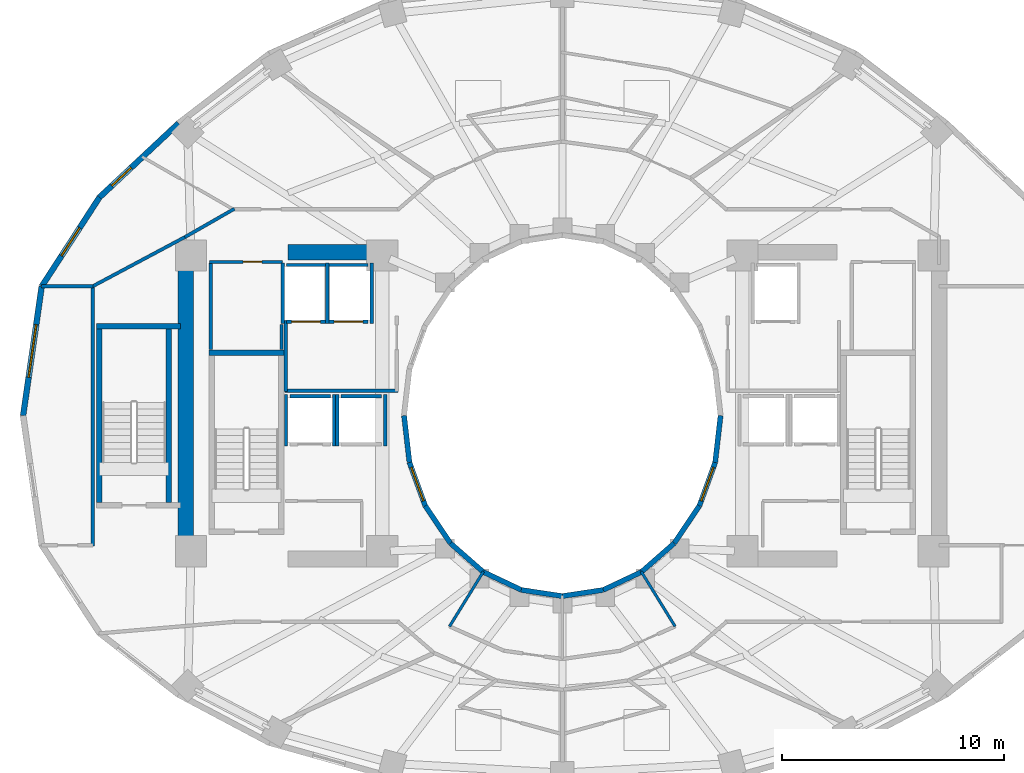
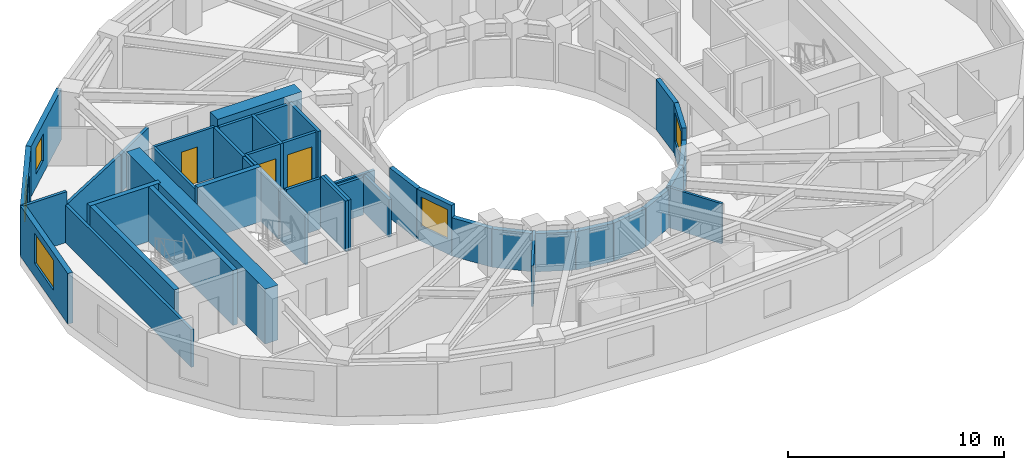
# One storey, part 4 of 9: 45 walls, 5 windows, 3 doors, 8 openings.
"""IFC4 building model written with IfcOpenShell, lengths in metres."""

from ifc_helpers import new_model, si_unit, direction, frame, frame_2d, origin, place, context, subcontext, project, spatial, rectangle, extrude, material, layer, layer_set, type_object, element, fill, save


model = new_model("IFC4")

# Units and contexts
model_context = context("Model", 3, precision=1e-05, world=origin(), true_north=direction((0.0, 1.0)))
body_context = subcontext(model_context, "Body", "Model", "MODEL_VIEW")
ifc_project = project(units=[si_unit("LENGTHUNIT", "METRE"), si_unit("AREAUNIT", "SQUARE_METRE"), si_unit("VOLUMEUNIT", "CUBIC_METRE"), si_unit("PLANEANGLEUNIT", "RADIAN"), si_unit("MASSUNIT", "GRAM", prefix="KILO")], contexts=[model_context])

# Site, building, storey
site_placement = place(None, origin())
site = spatial("IfcSite", under=ifc_project, at=site_placement, CompositionType="ELEMENT")
building_placement = place(site_placement, origin())
building = spatial("IfcBuilding", under=site, at=building_placement, Name="Solvane Sanctuary Tower", CompositionType="ELEMENT")
storey_placement = place(building_placement, frame((0.0, 0.0, 113.5)))
storey = spatial("IfcBuildingStorey", under=building, at=storey_placement, Name="L34", CompositionType="ELEMENT", Elevation=113.5)

# Walls
ifc_material_1 = material(Name="Concrete C60/75", Category="concrete")
ifc_layer_1 = layer(ifc_material_1, 0.699951171875, Name="Concrete C60/75")
ifc_layer_set_1 = layer_set([ifc_layer_1], Name="Concrete C60/75")
wall_type_1 = type_object("IfcWallType", Name="Wall W-CORE-700", PredefinedType="SHEAR", material=ifc_layer_set_1)
wall_1_placement = place(storey_placement, frame((15.050048828125, 17.050048828125, 0.0), z_axis=(0.0, 0.0, 1.0), x_axis=(0.0, 1.0, 0.0)))
element("IfcWall", 1, at=wall_1_placement, inside=storey, type_object=wall_type_1, Name="L34 Core Shear Wall WC-W", PredefinedType="SHEAR", context=body_context, shape_type="SweptSolid", body=[
    extrude(rectangle(XDim=12.800048828125, YDim=0.699951171875, at=frame_2d((6.39990234375, 0.0))), origin(), (0.0, 0.0, 1.0), 3.10009765625),
])
wall_2_placement = place(storey_placement, frame((19.64990234375, 30.35009765625, 0.0), z_axis=(0.0, 0.0, 1.0), x_axis=(1.0, 0.0, 0.0)))
element("IfcWall", 2, at=wall_2_placement, inside=storey, type_object=wall_type_1, Name="L34 Core Shear Wall WC-N", PredefinedType="SHEAR", context=body_context, shape_type="SweptSolid", body=[
    extrude(rectangle(XDim=4.5, YDim=0.699951171875, at=frame_2d((2.25, 0.0))), origin(), (0.0, 0.0, 1.0), 3.10009765625),
])
ifc_material_2 = material(Name="Acoustic Gypsum Partition Board")
ifc_layer_2 = layer(ifc_material_2, 0.14990234375, Name="Acoustic Gypsum Partition Board")
ifc_layer_set_2 = layer_set([ifc_layer_2], Name="Acoustic Gypsum Partition Board")
wall_type_2 = type_object("IfcWallType", Name="Wall W-CORR-150", PredefinedType="PARTITIONING", material=ifc_layer_set_2)
wall_3_placement = place(storey_placement, frame((19.52001953125, 24.1201171875, 0.0), z_axis=(0.0, 0.0, 1.0), x_axis=(1.0, 0.0, 0.0)))
element("IfcWall", 3, at=wall_3_placement, inside=storey, type_object=wall_type_2, Name="L34 West Firefighting Lobby South Wall", PredefinedType="PARTITIONING", context=body_context, shape_type="SweptSolid", body=[
    extrude(rectangle(XDim=5.080078125, YDim=0.14990234375, at=frame_2d((2.5400390625, 0.0))), origin(), (0.0, 0.0, 1.0), 2.1201171875),
])
wall_4_placement = place(storey_placement, frame((19.550048828125, 24.080078125, 0.0), z_axis=(0.0, 0.0, 1.0), x_axis=(0.0, 1.0, 0.0)))
element("IfcWall", 4, at=wall_4_placement, inside=storey, type_object=wall_type_2, Name="L34 West Firefighting Lobby West Wall", PredefinedType="PARTITIONING", context=body_context, shape_type="SweptSolid", body=[
    extrude(rectangle(XDim=3.199951171875, YDim=0.14990234375, at=frame_2d((1.60009765625, 0.0))), origin(), (0.0, 0.0, 1.0), 2.85498046875),
])
wall_5_placement = place(storey_placement, frame((10.8798828125, 17.134765625, 0.0), z_axis=(0.0, 0.0, 1.0), x_axis=(0.0, 1.0, 0.0)))
element("IfcWall", 5, at=wall_5_placement, inside=storey, type_object=wall_type_2, Name="L34 West Shoulder Back Wall", PredefinedType="PARTITIONING", context=body_context, shape_type="SweptSolid", body=[
    extrude(rectangle(XDim=11.73046875, YDim=0.14990234375, at=frame_2d((5.865234375, 0.0))), origin(), (0.0, 0.0, 1.0), 2.1201171875),
])
wall_6_placement = place(storey_placement, frame((8.558349609375, 28.8251953125, 0.0), z_axis=(0.0, 0.0, 1.0), x_axis=(1.0, 0.0, 0.0)))
element("IfcWall", 6, at=wall_6_placement, inside=storey, type_object=wall_type_2, Name="L34 West Shoulder North Wall", PredefinedType="PARTITIONING", context=body_context, shape_type="SweptSolid", body=[
    extrude(rectangle(XDim=2.321533203125, YDim=0.14990234375, at=frame_2d((1.16064453125, 0.0))), origin(), (0.0, 0.0, 1.0), 2.85498046875),
])
wall_7_placement = place(storey_placement, frame((10.8447265625, 28.806396484375, 0.0), z_axis=(0.0, 0.0, 1.0), x_axis=(0.88227840565, 0.470727962759, 0.0)))
element("IfcWall", 7, at=wall_7_placement, inside=storey, type_object=wall_type_2, Name="L34 NW Corner Closer 1", PredefinedType="PARTITIONING", context=body_context, shape_type="SweptSolid", body=[
    extrude(rectangle(XDim=4.806396484375, YDim=0.14990234375, at=frame_2d((2.4033203125, 0.0))), origin(), (0.0, 0.0, 1.0), 2.14208984375),
])
wall_8_placement = place(storey_placement, frame((17.243408203125, 32.3046875, 0.0), z_axis=(0.0, 0.0, 1.0), x_axis=(-0.867991349648, -0.496579315857, 0.0)))
element("IfcWall", 8, at=wall_8_placement, inside=storey, type_object=wall_type_2, Name="L34 NW Corner Wing Wall", PredefinedType="PARTITIONING", context=body_context, shape_type="SweptSolid", body=[
    extrude(rectangle(XDim=2.56689453125, YDim=0.14990234375, at=frame_2d((1.283447265625, 0.0))), origin(), (0.0, 0.0, 1.0), 2.14208984375),
])

# Wall, opening, window
ifc_material_3 = material(Name="Precast concrete C40/50", Category="concrete")
ifc_layer_3 = layer(ifc_material_3, 0.260009765625, Name="Precast concrete C40/50")
ifc_layer_set_3 = layer_set([ifc_layer_3], Name="Precast concrete C40/50")
wall_type_3 = type_object("IfcWallType", Name="Wall W-EXT-250", PredefinedType="STANDARD", material=ifc_layer_set_3)
wall_9_placement = place(storey_placement, frame((14.734130859375, 36.1533203125, 0.0), z_axis=(0.0, 0.0, 1.0), x_axis=(-0.730162452258, -0.68327358599, 0.0)))
wall_9 = element("IfcWall", 9, at=wall_9_placement, inside=storey, type_object=wall_type_3, Name="L34 Ceramic-Printed Facade Wall 09", PredefinedType="STANDARD", context=body_context, shape_type="SweptSolid", body=[
    extrude(rectangle(XDim=4.868408203125, YDim=0.260009765625, at=frame_2d((2.43408203125, 0.0))), origin(), (0.0, 0.0, 1.0), 2.85009765625),
])
opening_1_placement = place(wall_9_placement, frame((2.919189453125, 0.0, 0.75)))
opening_1 = element("IfcOpeningElement", 10, at=opening_1_placement, cuts=wall_9, Name="Opening WN-OPER-1200", PredefinedType="OPENING", context=body_context, shape_type="SweptSolid", body=[
    extrude(rectangle(XDim=1.199951171875, YDim=1.5, at=frame_2d((0.60009765625, 0.75))), frame((0.0, 0.139892578125, 0.0), z_axis=(0.0, -1.0, 0.0), x_axis=(1.0, 0.0, 0.0)), (0.0, 0.0, 1.0), 0.280029296875),
])
ifc_material_4 = material(Name="Dark Ceramic-Fritted Low-E Glass", Category="glass")
window_type_1 = type_object("IfcWindowType", Name="Window WN-OPER-1200", PartitioningType="SINGLE_PANEL", PredefinedType="WINDOW", material=ifc_material_4)
window_1_placement = place(opening_1_placement, origin())
window_1 = element("IfcWindow", 11, at=window_1_placement, inside=storey, type_object=window_type_1, Name="L34 Operable Facade Window 09", OverallHeight=1.5, OverallWidth=1.199951171875, PartitioningType="SINGLE_PANEL", PredefinedType="WINDOW", context=body_context, shape_type="SweptSolid", body=[
    extrude(rectangle(XDim=1.199951171875, YDim=1.5, at=frame_2d((0.60009765625, 0.75))), frame((0.0, 0.030029296875, 0.0), z_axis=(0.0, -1.0, 0.0), x_axis=(1.0, 0.0, 0.0)), (0.0, 0.0, 1.0), 0.06005859375),
])
fill(opening_1, window_1)

wall_10_placement = place(storey_placement, frame((11.179443359375, 32.826904296875, 0.0), z_axis=(0.0, 0.0, 1.0), x_axis=(-0.544388392991, -0.838833283541, 0.0)))
wall_10 = element("IfcWall", 12, at=wall_10_placement, inside=storey, type_object=wall_type_3, Name="L34 Ceramic-Printed Facade Wall 10", PredefinedType="STANDARD", context=body_context, shape_type="SweptSolid", body=[
    extrude(rectangle(XDim=4.7783203125, YDim=0.260009765625, at=frame_2d((2.38916015625, 0.0))), origin(), (0.0, 0.0, 1.0), 2.85009765625),
])
opening_2_placement = place(wall_10_placement, frame((1.63916015625, 0.0, 0.75)))
opening_2 = element("IfcOpeningElement", 13, at=opening_2_placement, cuts=wall_10, Name="Opening WN-OPER-1500", PredefinedType="OPENING", context=body_context, shape_type="SweptSolid", body=[
    extrude(rectangle(XDim=1.5, YDim=1.60009765625, at=frame_2d((0.75, 0.800048828125))), frame((0.0, 0.139892578125, 0.0), z_axis=(0.0, -1.0, 0.0), x_axis=(1.0, 0.0, 0.0)), (0.0, 0.0, 1.0), 0.280029296875),
])
window_type_2 = type_object("IfcWindowType", Name="Window WN-OPER-1500", PartitioningType="SINGLE_PANEL", PredefinedType="WINDOW", material=ifc_material_4)
window_2_placement = place(opening_2_placement, origin())
window_2 = element("IfcWindow", 14, at=window_2_placement, inside=storey, type_object=window_type_2, Name="L34 Operable Facade Window 10", OverallHeight=1.60009765625, OverallWidth=1.5, PartitioningType="SINGLE_PANEL", PredefinedType="WINDOW", context=body_context, shape_type="SweptSolid", body=[
    extrude(rectangle(XDim=1.5, YDim=1.60009765625, at=frame_2d((0.75, 0.800048828125))), frame((0.0, 0.030029296875, 0.0), z_axis=(0.0, -1.0, 0.0), x_axis=(1.0, 0.0, 0.0)), (0.0, 0.0, 1.0), 0.06005859375),
])
fill(opening_2, window_2)

wall_11_placement = place(storey_placement, frame((8.578125, 28.818603515625, 0.0), z_axis=(0.0, 0.0, 1.0), x_axis=(-0.142572472068, -0.98978436551, 0.0)))
wall_11 = element("IfcWall", 15, at=wall_11_placement, inside=storey, type_object=wall_type_3, Name="L34 Ceramic-Printed Facade Wall 11", PredefinedType="STANDARD", context=body_context, shape_type="SweptSolid", body=[
    extrude(rectangle(XDim=5.878662109375, YDim=0.260009765625, at=frame_2d((2.939453125, 0.0))), origin(), (0.0, 0.0, 1.0), 2.85009765625),
])
opening_3_placement = place(wall_11_placement, frame((1.739501953125, 0.0, 0.75)))
opening_3 = element("IfcOpeningElement", 16, at=opening_3_placement, cuts=wall_11, Name="Opening WN-RIB-2400", PredefinedType="OPENING", context=body_context, shape_type="SweptSolid", body=[
    extrude(rectangle(XDim=2.39990234375, YDim=1.699951171875, at=frame_2d((1.199951171875, 0.85009765625))), frame((0.0, 0.139892578125, 0.0), z_axis=(0.0, -1.0, 0.0), x_axis=(1.0, 0.0, 0.0)), (0.0, 0.0, 1.0), 0.280029296875),
])
window_type_3 = type_object("IfcWindowType", Name="Window WN-RIB-2400", PartitioningType="SINGLE_PANEL", PredefinedType="WINDOW", material=ifc_material_4)
window_3_placement = place(opening_3_placement, origin())
window_3 = element("IfcWindow", 17, at=window_3_placement, inside=storey, type_object=window_type_3, Name="L34 Operable Facade Window 11", OverallHeight=1.699951171875, OverallWidth=2.39990234375, PartitioningType="SINGLE_PANEL", PredefinedType="WINDOW", context=body_context, shape_type="SweptSolid", body=[
    extrude(rectangle(XDim=2.39990234375, YDim=1.699951171875, at=frame_2d((1.199951171875, 0.85009765625))), frame((0.0, 0.030029296875, 0.0), z_axis=(0.0, -1.0, 0.0), x_axis=(1.0, 0.0, 0.0)), (0.0, 0.0, 1.0), 0.06005859375),
])
fill(opening_3, window_3)

# Wall
ifc_layer_4 = layer(ifc_material_3, 0.22998046875, Name="Precast concrete C40/50")
ifc_layer_set_4 = layer_set([ifc_layer_4], Name="Precast concrete C40/50")
wall_type_4 = type_object("IfcWallType", Name="Wall W-EXT-SP220", PredefinedType="STANDARD", material=ifc_layer_set_4)
wall_12_placement = place(storey_placement, frame((24.8798828125, 23.0, 0.0), z_axis=(0.0, 0.0, 1.0), x_axis=(0.114711713601, -0.993398823617, 0.0)))
element("IfcWall", 18, at=wall_12_placement, inside=storey, type_object=wall_type_4, Name="L34 Central Light-Well Wall 12", PredefinedType="STANDARD", context=body_context, shape_type="SweptSolid", body=[
    extrude(rectangle(XDim=2.115478515625, YDim=0.22998046875, at=frame_2d((1.0576171875, 0.0))), origin(), (0.0, 0.0, 1.0), 2.840087890625),
])

# Wall, opening, window
wall_13_placement = place(storey_placement, frame((25.12255859375, 20.8984375, 0.0), z_axis=(0.0, 0.0, 1.0), x_axis=(0.341423187295, -0.93990968033, 0.0)))
wall_13 = element("IfcWall", 19, at=wall_13_placement, inside=storey, type_object=wall_type_4, Name="L34 Central Light-Well Wall 13", PredefinedType="STANDARD", context=body_context, shape_type="SweptSolid", body=[
    extrude(rectangle(XDim=2.083740234375, YDim=0.22998046875, at=frame_2d((1.0419921875, 0.0))), origin(), (0.0, 0.0, 1.0), 2.840087890625),
])
opening_4_placement = place(wall_13_placement, frame((0.24169921875, 0.0, 0.85009765625)))
opening_4 = element("IfcOpeningElement", 20, at=opening_4_placement, cuts=wall_13, Name="Opening WN-WELL-1600", PredefinedType="OPENING", context=body_context, shape_type="SweptSolid", body=[
    extrude(rectangle(XDim=1.60009765625, YDim=1.64990234375, at=frame_2d((0.800048828125, 0.824951171875))), frame((0.0, 0.125, 0.0), z_axis=(0.0, -1.0, 0.0), x_axis=(1.0, 0.0, 0.0)), (0.0, 0.0, 1.0), 0.25),
])
ifc_material_5 = material(Name="Clear Laminated Light-Well Glass", Category="glass")
window_type_4 = type_object("IfcWindowType", Name="Window WN-WELL-1600", PartitioningType="SINGLE_PANEL", PredefinedType="WINDOW", material=ifc_material_5)
window_4_placement = place(opening_4_placement, origin())
window_4 = element("IfcWindow", 21, at=window_4_placement, inside=storey, type_object=window_type_4, Name="L34 Light-Well Daylight Window 13", OverallHeight=1.64990234375, OverallWidth=1.60009765625, PartitioningType="SINGLE_PANEL", PredefinedType="WINDOW", context=body_context, shape_type="SweptSolid", body=[
    extrude(rectangle(XDim=1.60009765625, YDim=1.64990234375, at=frame_2d((0.800048828125, 0.824951171875))), frame((0.0, 0.030029296875, 0.0), z_axis=(0.0, -1.0, 0.0), x_axis=(1.0, 0.0, 0.0)), (0.0, 0.0, 1.0), 0.06005859375),
])
fill(opening_4, window_4)

# Walls
wall_14_placement = place(storey_placement, frame((25.833984375, 18.93994140625, 0.0), z_axis=(0.0, 0.0, 1.0), x_axis=(0.558197800898, -0.829707909492, 0.0)))
element("IfcWall", 22, at=wall_14_placement, inside=storey, type_object=wall_type_4, Name="L34 Central Light-Well Wall 14", PredefinedType="STANDARD", context=body_context, shape_type="SweptSolid", body=[
    extrude(rectangle(XDim=2.02685546875, YDim=0.22998046875, at=frame_2d((1.013427734375, 0.0))), origin(), (0.0, 0.0, 1.0), 2.159912109375),
])
wall_15_placement = place(storey_placement, frame((26.96533203125, 17.25830078125, 0.0), z_axis=(0.0, 0.0, 1.0), x_axis=(0.752576694707, -0.658504607869, 0.0)))
element("IfcWall", 23, at=wall_15_placement, inside=storey, type_object=wall_type_4, Name="L34 Central Light-Well Wall 15", PredefinedType="STANDARD", context=body_context, shape_type="SweptSolid", body=[
    extrude(rectangle(XDim=1.95947265625, YDim=0.22998046875, at=frame_2d((0.979736328125, 0.0))), origin(), (0.0, 0.0, 1.0), 2.159912109375),
])
wall_16_placement = place(storey_placement, frame((28.43994140625, 15.968017578125, 0.0), z_axis=(0.0, 0.0, 1.0), x_axis=(0.904179699603, -0.427152280606, 0.0)))
element("IfcWall", 24, at=wall_16_placement, inside=storey, type_object=wall_type_4, Name="L34 Central Light-Well Wall 16", PredefinedType="STANDARD", context=body_context, shape_type="SweptSolid", body=[
    extrude(rectangle(XDim=1.899169921875, YDim=0.22998046875, at=frame_2d((0.94970703125, 0.0))), origin(), (0.0, 0.0, 1.0), 2.159912109375),
])
for number, where, z_axis, x_axis, name in (
    (25, (30.1572265625, 15.15673828125, 0.0), (0.0, 0.0, 1.0), (0.988901730308, -0.148571086668, 0.0), "L34 Central Light-Well Wall 17"),
    (26, (32.0, 14.8798828125, 0.0), (0.0, 0.0, 1.0), (0.988901730308, 0.148571086668, 0.0), "L34 Central Light-Well Wall 18"),
):
    element("IfcWall", number, at=place(storey_placement, frame(where, z_axis=z_axis, x_axis=x_axis)), inside=storey, type_object=wall_type_4, Name=name, PredefinedType="STANDARD", context=body_context, shape_type="SweptSolid", body=[
        extrude(rectangle(XDim=1.863525390625, YDim=0.22998046875, at=frame_2d((0.931640625, 0.0))), origin(), (0.0, 0.0, 1.0), 2.159912109375),
    ])
wall_17_placement = place(storey_placement, frame((33.8427734375, 15.15673828125, 0.0), z_axis=(0.0, 0.0, 1.0), x_axis=(0.904179699603, 0.427152280606, 0.0)))
element("IfcWall", 27, at=wall_17_placement, inside=storey, type_object=wall_type_4, Name="L34 Central Light-Well Wall 19", PredefinedType="STANDARD", context=body_context, shape_type="SweptSolid", body=[
    extrude(rectangle(XDim=1.899169921875, YDim=0.22998046875, at=frame_2d((0.94970703125, 0.0))), origin(), (0.0, 0.0, 1.0), 2.159912109375),
])
wall_18_placement = place(storey_placement, frame((35.56005859375, 15.968017578125, 0.0), z_axis=(0.0, 0.0, 1.0), x_axis=(0.752576694707, 0.658504607869, 0.0)))
element("IfcWall", 28, at=wall_18_placement, inside=storey, type_object=wall_type_4, Name="L34 Central Light-Well Wall 20", PredefinedType="STANDARD", context=body_context, shape_type="SweptSolid", body=[
    extrude(rectangle(XDim=1.95947265625, YDim=0.22998046875, at=frame_2d((0.979736328125, 0.0))), origin(), (0.0, 0.0, 1.0), 2.159912109375),
])
wall_19_placement = place(storey_placement, frame((37.03466796875, 17.25830078125, 0.0), z_axis=(0.0, 0.0, 1.0), x_axis=(0.558197800898, 0.829707909492, 0.0)))
element("IfcWall", 29, at=wall_19_placement, inside=storey, type_object=wall_type_4, Name="L34 Central Light-Well Wall 21", PredefinedType="STANDARD", context=body_context, shape_type="SweptSolid", body=[
    extrude(rectangle(XDim=2.02685546875, YDim=0.22998046875, at=frame_2d((1.013427734375, 0.0))), origin(), (0.0, 0.0, 1.0), 2.159912109375),
])

# Wall, opening, window
wall_20_placement = place(storey_placement, frame((38.166015625, 18.93994140625, 0.0), z_axis=(0.0, 0.0, 1.0), x_axis=(0.341423187295, 0.93990968033, 0.0)))
wall_20 = element("IfcWall", 30, at=wall_20_placement, inside=storey, type_object=wall_type_4, Name="L34 Central Light-Well Wall 22", PredefinedType="STANDARD", context=body_context, shape_type="SweptSolid", body=[
    extrude(rectangle(XDim=2.083740234375, YDim=0.22998046875, at=frame_2d((1.0419921875, 0.0))), origin(), (0.0, 0.0, 1.0), 2.840087890625),
])
opening_5_placement = place(wall_20_placement, frame((0.24169921875, 0.0, 0.85009765625)))
opening_5 = element("IfcOpeningElement", 31, at=opening_5_placement, cuts=wall_20, Name="Opening WN-WELL-1600", PredefinedType="OPENING", context=body_context, shape_type="SweptSolid", body=[
    extrude(rectangle(XDim=1.60009765625, YDim=1.64990234375, at=frame_2d((0.800048828125, 0.824951171875))), frame((0.0, 0.125, 0.0), z_axis=(0.0, -1.0, 0.0), x_axis=(1.0, 0.0, 0.0)), (0.0, 0.0, 1.0), 0.25),
])
window_5_placement = place(opening_5_placement, origin())
window_5 = element("IfcWindow", 32, at=window_5_placement, inside=storey, type_object=window_type_4, Name="L34 Light-Well Daylight Window 22", OverallHeight=1.64990234375, OverallWidth=1.60009765625, PartitioningType="SINGLE_PANEL", PredefinedType="WINDOW", context=body_context, shape_type="SweptSolid", body=[
    extrude(rectangle(XDim=1.60009765625, YDim=1.64990234375, at=frame_2d((0.800048828125, 0.824951171875))), frame((0.0, 0.030029296875, 0.0), z_axis=(0.0, -1.0, 0.0), x_axis=(1.0, 0.0, 0.0)), (0.0, 0.0, 1.0), 0.06005859375),
])
fill(opening_5, window_5)

# Walls
wall_21_placement = place(storey_placement, frame((38.87744140625, 20.8984375, 0.0), z_axis=(0.0, 0.0, 1.0), x_axis=(0.114711713601, 0.993398823617, 0.0)))
element("IfcWall", 33, at=wall_21_placement, inside=storey, type_object=wall_type_4, Name="L34 Central Light-Well Wall 23", PredefinedType="STANDARD", context=body_context, shape_type="SweptSolid", body=[
    extrude(rectangle(XDim=2.115478515625, YDim=0.22998046875, at=frame_2d((1.0576171875, 0.0))), origin(), (0.0, 0.0, 1.0), 2.840087890625),
])
ifc_layer_5 = layer(ifc_material_2, 0.125, Name="Acoustic Gypsum Partition Board")
ifc_layer_set_5 = layer_set([ifc_layer_5], Name="Acoustic Gypsum Partition Board")
wall_type_5 = type_object("IfcWallType", Name="Wall W-PART-125", PredefinedType="PARTITIONING", material=ifc_layer_set_5)
for number, where, z_axis, x_axis, name in (
    (34, (28.449951171875, 15.985107421875, 0.0), (0.0, 0.0, 1.0), (-0.525627246902, -0.850714991824, 0.0), "L34 Inner Light-Well Radial Wall 240"),
    (35, (35.550048828125, 15.985107421875, 0.0), (0.0, 0.0, 1.0), (0.525627246902, -0.850714991824, 0.0), "L34 Inner Light-Well Radial Wall 300"),
):
    element("IfcWall", number, at=place(storey_placement, frame(where, z_axis=z_axis, x_axis=x_axis)), inside=storey, type_object=wall_type_5, Name=name, PredefinedType="PARTITIONING", context=body_context, shape_type="SweptSolid", body=[
        extrude(rectangle(XDim=2.901123046875, YDim=0.125, at=frame_2d((1.45068359375, 0.0))), origin(), (0.0, 0.0, 1.0), 2.27197265625),
    ])
ifc_material_6 = material(Name="Concrete C50/60", Category="concrete")
ifc_layer_6 = layer(ifc_material_6, 0.14990234375, Name="Concrete C50/60")
ifc_layer_set_6 = layer_set([ifc_layer_6], Name="Concrete C50/60")
wall_type_6 = type_object("IfcWallType", Name="Wall W-SHAFT-150", PredefinedType="SOLIDWALL", material=ifc_layer_set_6)
wall_22_placement = place(storey_placement, frame((19.739990234375, 23.8798828125, 0.0), z_axis=(0.0, 0.0, 1.0), x_axis=(1.0, 0.0, 0.0)))
element("IfcWall", 36, at=wall_22_placement, inside=storey, type_object=wall_type_6, Name="L34 PM-1 Lift Shaft Wall B", PredefinedType="SOLIDWALL", context=body_context, shape_type="SweptSolid", body=[
    extrude(rectangle(XDim=1.820068359375, YDim=0.14990234375, at=frame_2d((0.91015625, 0.0))), origin(), (0.0, 0.0, 1.0), 2.85498046875),
])
for number, where, z_axis, x_axis, name in (
    (37, (19.570068359375, 21.639892578125, 0.0), (0.0, 0.0, 1.0), (0.0, 1.0, 0.0), "L34 PM-1 Lift Shaft Wall S1"),
    (38, (21.72998046875, 21.639892578125, 0.0), (0.0, 0.0, 1.0), (0.0, 1.0, 0.0), "L34 PM-1 Lift Shaft Wall S2"),
):
    element("IfcWall", number, at=place(storey_placement, frame(where, z_axis=z_axis, x_axis=x_axis)), inside=storey, type_object=wall_type_6, Name=name, PredefinedType="SOLIDWALL", context=body_context, shape_type="SweptSolid", body=[
        extrude(rectangle(XDim=2.320068359375, YDim=0.14990234375, at=frame_2d((1.16015625, 0.0))), origin(), (0.0, 0.0, 1.0), 2.85498046875),
    ])
wall_23_placement = place(storey_placement, frame((22.0400390625, 23.8798828125, 0.0), z_axis=(0.0, 0.0, 1.0), x_axis=(1.0, 0.0, 0.0)))
element("IfcWall", 39, at=wall_23_placement, inside=storey, type_object=wall_type_6, Name="L34 PH-1 Lift Shaft Wall B", PredefinedType="SOLIDWALL", context=body_context, shape_type="SweptSolid", body=[
    extrude(rectangle(XDim=1.820068359375, YDim=0.14990234375, at=frame_2d((0.91015625, 0.0))), origin(), (0.0, 0.0, 1.0), 2.1201171875),
])
wall_24_placement = place(storey_placement, frame((21.8701171875, 21.639892578125, 0.0), z_axis=(0.0, 0.0, 1.0), x_axis=(0.0, 1.0, 0.0)))
element("IfcWall", 40, at=wall_24_placement, inside=storey, type_object=wall_type_6, Name="L34 PH-1 Lift Shaft Wall S1", PredefinedType="SOLIDWALL", context=body_context, shape_type="SweptSolid", body=[
    extrude(rectangle(XDim=2.320068359375, YDim=0.14990234375, at=frame_2d((1.16015625, 0.0))), origin(), (0.0, 0.0, 1.0), 2.85498046875),
])
wall_25_placement = place(storey_placement, frame((24.030029296875, 21.639892578125, 0.0), z_axis=(0.0, 0.0, 1.0), x_axis=(0.0, 1.0, 0.0)))
element("IfcWall", 41, at=wall_25_placement, inside=storey, type_object=wall_type_6, Name="L34 PH-1 Lift Shaft Wall S2", PredefinedType="SOLIDWALL", context=body_context, shape_type="SweptSolid", body=[
    extrude(rectangle(XDim=2.320068359375, YDim=0.14990234375, at=frame_2d((1.16015625, 0.0))), origin(), (0.0, 0.0, 1.0), 2.1201171875),
])

# Wall, opening, door
wall_26_placement = place(storey_placement, frame((19.590087890625, 27.219970703125, 0.0), z_axis=(0.0, 0.0, 1.0), x_axis=(1.0, 0.0, 0.0)))
wall_26 = element("IfcWall", 42, at=wall_26_placement, inside=storey, type_object=wall_type_6, Name="L34 FFL-1 Lift Shaft Wall F", PredefinedType="SOLIDWALL", context=body_context, shape_type="SweptSolid", body=[
    extrude(rectangle(XDim=1.760009765625, YDim=0.14990234375, at=frame_2d((0.8798828125, 0.0))), origin(), (0.0, 0.0, 1.0), 2.85498046875),
])
opening_6_placement = place(wall_26_placement, frame((0.22998046875, 0.0, 0.0)))
opening_6 = element("IfcOpeningElement", 43, at=opening_6_placement, cuts=wall_26, Name="Opening LD-L34-03", PredefinedType="OPENING", context=body_context, shape_type="SweptSolid", body=[
    extrude(rectangle(XDim=1.300048828125, YDim=2.10009765625, at=frame_2d((0.64990234375, 1.050048828125))), frame((0.0, 0.0849609375, 0.0), z_axis=(0.0, -1.0, 0.0), x_axis=(1.0, 0.0, 0.0)), (0.0, 0.0, 1.0), 0.169921875),
])
ifc_material_7 = material(Name="Architectural Stainless Steel 316", Category="steel")
door_type_1 = type_object("IfcDoorType", Name="Door LD-FFL-1300", OperationType="NOTDEFINED", PredefinedType="DOOR", material=ifc_material_7)
door_1_placement = place(opening_6_placement, origin())
door_1 = element("IfcDoor", 44, at=door_1_placement, inside=storey, type_object=door_type_1, Name="L34 FFL-1 Lift Landing Door", OperationType="DOUBLE_DOOR_SLIDING", OverallHeight=2.10009765625, OverallWidth=1.300048828125, PredefinedType="DOOR", context=body_context, shape_type="SweptSolid", body=[
    extrude(rectangle(XDim=1.300048828125, YDim=2.10009765625, at=frame_2d((0.64990234375, 1.050048828125))), frame((0.0, 0.02490234375, 0.0), z_axis=(0.0, -1.0, 0.0), x_axis=(1.0, 0.0, 0.0)), (0.0, 0.0, 1.0), 0.050048828125),
])
fill(opening_6, door_1)

# Walls
wall_27_placement = place(storey_placement, frame((19.590087890625, 29.780029296875, 0.0), z_axis=(0.0, 0.0, 1.0), x_axis=(1.0, 0.0, 0.0)))
element("IfcWall", 45, at=wall_27_placement, inside=storey, type_object=wall_type_6, Name="L34 FFL-1 Lift Shaft Wall B", PredefinedType="SOLIDWALL", context=body_context, shape_type="SweptSolid", body=[
    extrude(rectangle(XDim=1.760009765625, YDim=0.14990234375, at=frame_2d((0.8798828125, 0.0))), origin(), (0.0, 0.0, 1.0), 2.85498046875),
])
for number, where, z_axis, x_axis, name in (
    (46, (19.419921875, 27.139892578125, 0.0), (0.0, 0.0, 1.0), (0.0, 1.0, 0.0), "L34 FFL-1 Lift Shaft Wall S1"),
    (47, (21.425048828125, 27.139892578125, 0.0), (0.0, 0.0, 1.0), (0.0, 1.0, 0.0), "L34 FFL-1 Lift Shaft Wall S2"),
):
    element("IfcWall", number, at=place(storey_placement, frame(where, z_axis=z_axis, x_axis=x_axis)), inside=storey, type_object=wall_type_6, Name=name, PredefinedType="SOLIDWALL", context=body_context, shape_type="SweptSolid", body=[
        extrude(rectangle(XDim=2.72021484375, YDim=0.14990234375, at=frame_2d((1.360107421875, 0.0))), origin(), (0.0, 0.0, 1.0), 2.85498046875),
    ])

# Wall, opening, door
wall_28_placement = place(storey_placement, frame((21.5, 27.219970703125, 0.0), z_axis=(0.0, 0.0, 1.0), x_axis=(1.0, 0.0, 0.0)))
wall_28 = element("IfcWall", 48, at=wall_28_placement, inside=storey, type_object=wall_type_6, Name="L34 SVL-1 Lift Shaft Wall F", PredefinedType="SOLIDWALL", context=body_context, shape_type="SweptSolid", body=[
    extrude(rectangle(XDim=1.760009765625, YDim=0.14990234375, at=frame_2d((0.8798828125, 0.0))), origin(), (0.0, 0.0, 1.0), 2.85498046875),
])
opening_7_placement = place(wall_28_placement, frame((0.22998046875, 0.0, 0.0)))
opening_7 = element("IfcOpeningElement", 49, at=opening_7_placement, cuts=wall_28, Name="Opening LD-L34-04", PredefinedType="OPENING", context=body_context, shape_type="SweptSolid", body=[
    extrude(rectangle(XDim=1.300048828125, YDim=2.10009765625, at=frame_2d((0.64990234375, 1.050048828125))), frame((0.0, 0.0849609375, 0.0), z_axis=(0.0, -1.0, 0.0), x_axis=(1.0, 0.0, 0.0)), (0.0, 0.0, 1.0), 0.169921875),
])
door_2_placement = place(opening_7_placement, origin())
door_2 = element("IfcDoor", 50, at=door_2_placement, inside=storey, type_object=door_type_1, Name="L34 SVL-1 Lift Landing Door", OperationType="DOUBLE_DOOR_SLIDING", OverallHeight=2.10009765625, OverallWidth=1.300048828125, PredefinedType="DOOR", context=body_context, shape_type="SweptSolid", body=[
    extrude(rectangle(XDim=1.300048828125, YDim=2.10009765625, at=frame_2d((0.64990234375, 1.050048828125))), frame((0.0, 0.02490234375, 0.0), z_axis=(0.0, -1.0, 0.0), x_axis=(1.0, 0.0, 0.0)), (0.0, 0.0, 1.0), 0.050048828125),
])
fill(opening_7, door_2)

# Walls
wall_29_placement = place(storey_placement, frame((21.5, 29.780029296875, 0.0), z_axis=(0.0, 0.0, 1.0), x_axis=(1.0, 0.0, 0.0)))
element("IfcWall", 51, at=wall_29_placement, inside=storey, type_object=wall_type_6, Name="L34 SVL-1 Lift Shaft Wall B", PredefinedType="SOLIDWALL", context=body_context, shape_type="SweptSolid", body=[
    extrude(rectangle(XDim=1.760009765625, YDim=0.14990234375, at=frame_2d((0.8798828125, 0.0))), origin(), (0.0, 0.0, 1.0), 2.85498046875),
])
wall_30_placement = place(storey_placement, frame((23.429931640625, 27.139892578125, 0.0), z_axis=(0.0, 0.0, 1.0), x_axis=(0.0, 1.0, 0.0)))
element("IfcWall", 52, at=wall_30_placement, inside=storey, type_object=wall_type_6, Name="L34 SVL-1 Lift Shaft Wall S2", PredefinedType="SOLIDWALL", context=body_context, shape_type="SweptSolid", body=[
    extrude(rectangle(XDim=2.72021484375, YDim=0.14990234375, at=frame_2d((1.360107421875, 0.0))), origin(), (0.0, 0.0, 1.0), 2.85498046875),
])
ifc_layer_7 = layer(ifc_material_6, 0.25, Name="Concrete C50/60")
ifc_layer_set_7 = layer_set([ifc_layer_7], Name="Concrete C50/60")
wall_type_7 = type_object("IfcWallType", Name="Wall W-SHAFT-250", PredefinedType="SOLIDWALL", material=ifc_layer_set_7)
wall_31_placement = place(storey_placement, frame((16.10498046875, 25.830078125, 0.0), z_axis=(0.0, 0.0, 1.0), x_axis=(1.0, 0.0, 0.0)))
element("IfcWall", 53, at=wall_31_placement, inside=storey, type_object=wall_type_7, Name="L34 ST-1 Load-Bearing Shaft Wall N", PredefinedType="SOLIDWALL", context=body_context, shape_type="SweptSolid", body=[
    extrude(rectangle(XDim=3.3701171875, YDim=0.25, at=frame_2d((1.68505859375, 0.0))), origin(), (0.0, 0.0, 1.0), 3.10009765625),
])
wall_32_placement = place(storey_placement, frame((11.044921875, 27.030029296875, 0.0), z_axis=(0.0, 0.0, 1.0), x_axis=(1.0, 0.0, 0.0)))
element("IfcWall", 54, at=wall_32_placement, inside=storey, type_object=wall_type_7, Name="L34 ST-3 Load-Bearing Shaft Wall N", PredefinedType="SOLIDWALL", context=body_context, shape_type="SweptSolid", body=[
    extrude(rectangle(XDim=3.781982421875, YDim=0.25, at=frame_2d((1.89111328125, 0.0))), origin(), (0.0, 0.0, 1.0), 3.10009765625),
])
for number, where, z_axis, x_axis, name in (
    (55, (11.169921875, 19.094970703125, 0.0), (0.0, 0.0, 1.0), (0.0, 1.0, 0.0), "L34 ST-3 Load-Bearing Shaft Wall W"),
    (56, (14.2900390625, 19.094970703125, 0.0), (0.0, 0.0, 1.0), (0.0, 1.0, 0.0), "L34 ST-3 Load-Bearing Shaft Wall E"),
):
    element("IfcWall", number, at=place(storey_placement, frame(where, z_axis=z_axis, x_axis=x_axis)), inside=storey, type_object=wall_type_7, Name=name, PredefinedType="SOLIDWALL", context=body_context, shape_type="SweptSolid", body=[
        extrude(rectangle(XDim=7.81005859375, YDim=0.25, at=frame_2d((3.905029296875, 0.0))), origin(), (0.0, 0.0, 1.0), 3.10009765625),
    ])

# Wall, opening, door
ifc_layer_8 = layer(ifc_material_2, 0.139892578125, Name="Acoustic Gypsum Partition Board")
ifc_layer_set_8 = layer_set([ifc_layer_8], Name="Acoustic Gypsum Partition Board")
wall_type_8 = type_object("IfcWallType", Name="Wall W-WET-140", PredefinedType="PLUMBINGWALL", material=ifc_layer_set_8)
wall_33_placement = place(storey_placement, frame((16.1201171875, 29.919921875, 0.0), z_axis=(0.0, 0.0, 1.0), x_axis=(1.0, 0.0, 0.0)))
wall_33 = element("IfcWall", 57, at=wall_33_placement, inside=storey, type_object=wall_type_8, Name="L34 Core Service Front Wall KW0", PredefinedType="PLUMBINGWALL", context=body_context, shape_type="SweptSolid", body=[
    extrude(rectangle(XDim=3.2998046875, YDim=0.139892578125, at=frame_2d((1.64990234375, 0.0))), origin(), (0.0, 0.0, 1.0), 2.85498046875),
])
opening_8_placement = place(wall_33_placement, frame((1.515869140625, 0.0, 0.0)))
opening_8 = element("IfcOpeningElement", 58, at=opening_8_placement, cuts=wall_33, Name="Opening D-L34-08", PredefinedType="OPENING", context=body_context, shape_type="SweptSolid", body=[
    extrude(rectangle(XDim=0.85009765625, YDim=2.050048828125, at=frame_2d((0.425048828125, 1.02490234375))), frame((0.0, 0.079833984375, 0.0), z_axis=(0.0, -1.0, 0.0), x_axis=(1.0, 0.0, 0.0)), (0.0, 0.0, 1.0), 0.159912109375),
])
door_type_2 = type_object("IfcDoorType", Name="Door D-RISER", OperationType="NOTDEFINED", PredefinedType="DOOR", material=ifc_material_7)
door_3_placement = place(opening_8_placement, origin())
door_3 = element("IfcDoor", 59, at=door_3_placement, inside=storey, type_object=door_type_2, Name="L34 Core Service Room Door KW0-1", OperationType="SINGLE_SWING_LEFT", OverallHeight=2.050048828125, OverallWidth=0.85009765625, PredefinedType="DOOR", context=body_context, shape_type="SweptSolid", body=[
    extrude(rectangle(XDim=0.85009765625, YDim=2.050048828125, at=frame_2d((0.425048828125, 1.02490234375))), frame((0.0, 0.02490234375, 0.0), z_axis=(0.0, -1.0, 0.0), x_axis=(1.0, 0.0, 0.0)), (0.0, 0.0, 1.0), 0.050048828125),
])
fill(opening_8, door_3)

# Walls
wall_34_placement = place(storey_placement, frame((16.179931640625, 25.97998046875, 0.0), z_axis=(0.0, 0.0, 1.0), x_axis=(0.0, 1.0, 0.0)))
element("IfcWall", 60, at=wall_34_placement, inside=storey, type_object=wall_type_8, Name="L34 Core Service Side Wall KW0-1", PredefinedType="PLUMBINGWALL", context=body_context, shape_type="SweptSolid", body=[
    extrude(rectangle(XDim=3.880126953125, YDim=0.139892578125, at=frame_2d((1.93994140625, 0.0))), origin(), (0.0, 0.0, 1.0), 2.85498046875),
])
wall_35_placement = place(storey_placement, frame((19.360107421875, 25.97998046875, 0.0), z_axis=(0.0, 0.0, 1.0), x_axis=(0.0, 1.0, 0.0)))
element("IfcWall", 61, at=wall_35_placement, inside=storey, type_object=wall_type_8, Name="L34 Core Service Side Wall KW0-2", PredefinedType="PLUMBINGWALL", context=body_context, shape_type="SweptSolid", body=[
    extrude(rectangle(XDim=1.1201171875, YDim=0.139892578125, at=frame_2d((0.56005859375, 0.0))), origin(), (0.0, 0.0, 1.0), 2.85498046875),
])

save(model, "model.ifc")
